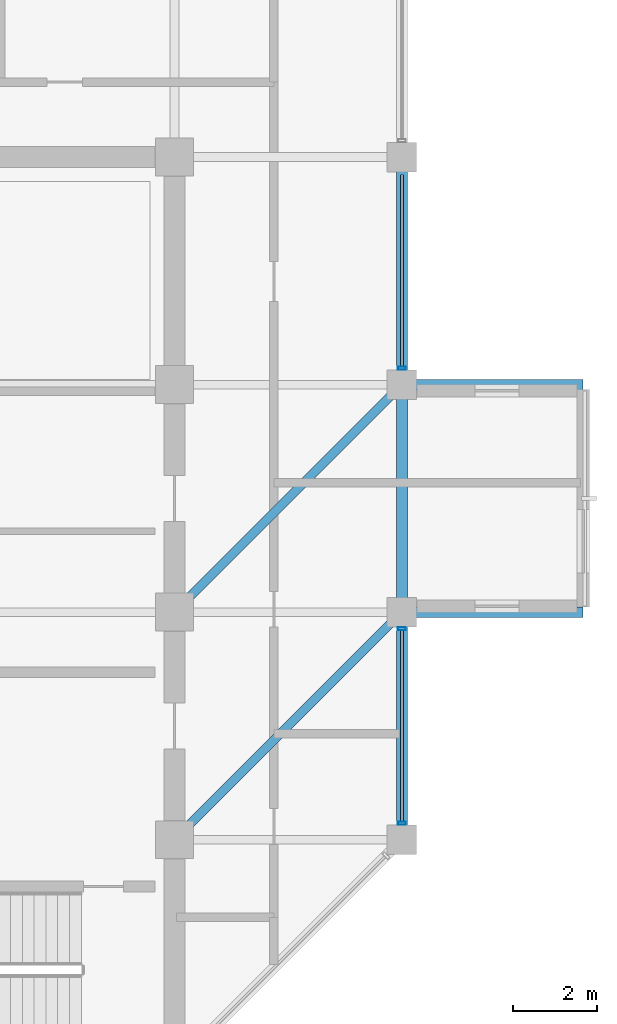
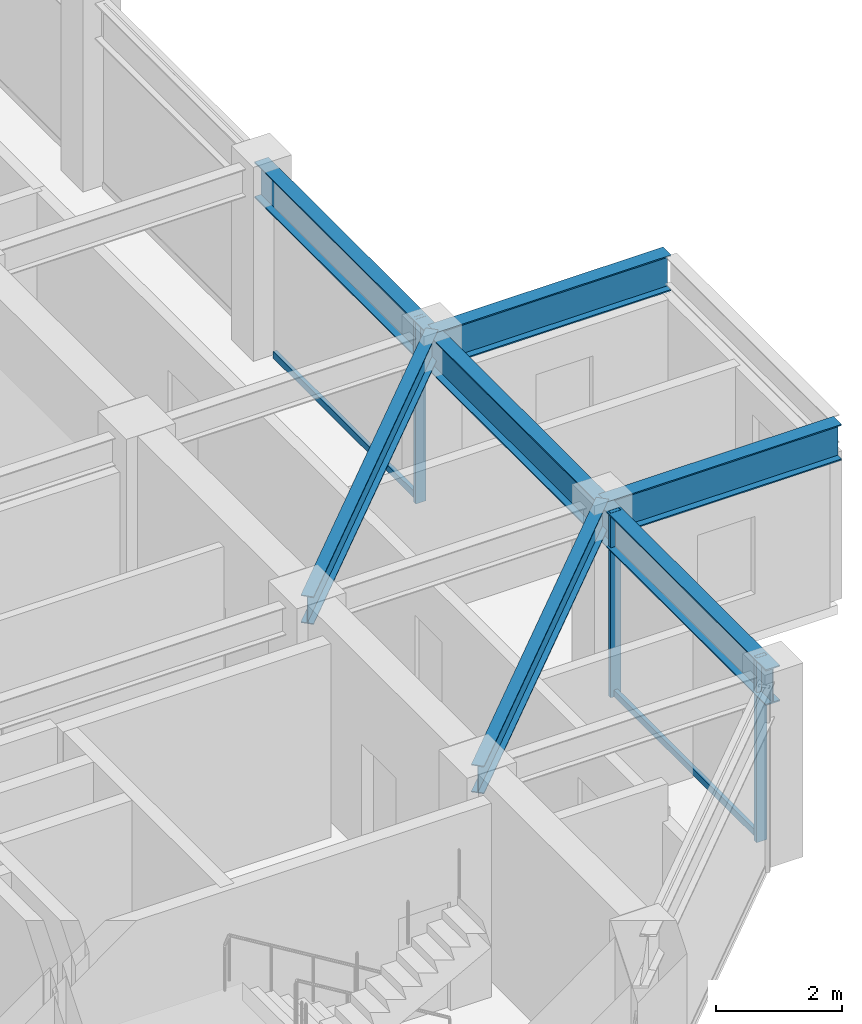
# One storey, part 11 of 30: 7 beams, 5 members, 2 elements without a shape of their own.
"""IFC4 building model written with IfcOpenShell, lengths in metres."""

import ifcopenshell
import ifcopenshell.guid

model = None  # the IFC model being written
_history = None  # IfcOwnerHistory: only IFC2X3 demands one
_inside = {}  # id of a spatial element -> (the spatial element, [elements in it])
_under = {}  # id of a project, library or spatial element -> (it, [spatial elements below it])
_declared = {}  # id of a project -> (the project, [libraries it declares])
_typed = {}  # id of a type object -> (the type object, [elements of that type])
_made_of = {}  # id of a material, layer set ... -> (it, [elements and type objects made of it])


def new_model(schema):
    """Start an empty IFC model of exactly this schema.

    Asked for "IFC4X3", IfcOpenShell would pick the latest addendum, in which some entities
    have other attributes; the version numbers below select the first issue.
    IFC2X3 requires an IfcOwnerHistory on every rooted entity: one is made here for all.
    """
    global model, _history
    if schema == "IFC4X3":
        model = ifcopenshell.file(schema_version=(4, 3, 0, 0))
    else:
        model = ifcopenshell.file(schema=schema)
    _inside.clear()
    _under.clear()
    _declared.clear()
    _typed.clear()
    _made_of.clear()
    _history = None
    if model.schema == "IFC2X3":
        org = make("IfcOrganization", Name="unknown")
        user = make(
            "IfcPersonAndOrganization",
            ThePerson=make("IfcPerson", FamilyName="unknown"),
            TheOrganization=org,
        )
        app = make(
            "IfcApplication",
            ApplicationDeveloper=org,
            Version="unknown",
            ApplicationFullName="unknown",
            ApplicationIdentifier="unknown",
        )
        _history = make(
            "IfcOwnerHistory",
            OwningUser=user,
            OwningApplication=app,
            ChangeAction="ADDED",
            CreationDate=0,
        )
    return model


def make(cls, **values):
    """One entity of the class cls with the attributes given. An attribute that is None is left unset."""
    return model.create_entity(
        cls, **{name: value for name, value in values.items() if value is not None}
    )


def rooted(cls, **values):
    """An entity with a GlobalId (a new one), such as an element, a storey or a relation."""
    return make(cls, GlobalId=ifcopenshell.guid.new(), OwnerHistory=_history, **values)


def si_unit(unit_type, name, prefix=None):
    """IfcSIUnit, for example si_unit("LENGTHUNIT", "METRE", prefix="MILLI")."""
    return make("IfcSIUnit", UnitType=unit_type, Prefix=prefix, Name=name)


def assignment(units):
    """IfcUnitAssignment: the units of a project."""
    return None if units is None else make("IfcUnitAssignment", Units=units)


def point(xyz):
    """IfcCartesianPoint."""
    return None if xyz is None else make("IfcCartesianPoint", Coordinates=xyz)


def direction(xyz):
    """IfcDirection."""
    return None if xyz is None else make("IfcDirection", DirectionRatios=xyz)


def frame(location, z_axis=None, x_axis=None):
    """IfcAxis2Placement3D, a coordinate frame: its origin and axes. An axis left out is left unset."""
    return make(
        "IfcAxis2Placement3D",
        Location=point(location),
        Axis=direction(z_axis),
        RefDirection=direction(x_axis),
    )


def frame_2d(location, x_axis=None):
    """IfcAxis2Placement2D, a coordinate frame in the plane: its origin and x axis."""
    return make(
        "IfcAxis2Placement2D", Location=point(location), RefDirection=direction(x_axis)
    )


def origin():
    """The frame at (0, 0, 0) with its axes left unset."""
    return frame((0.0, 0.0, 0.0))


def origin_2d():
    """The frame at (0, 0) in the plane with its x axis left unset."""
    return frame_2d((0.0, 0.0))


def place(relative_to, where):
    """IfcLocalPlacement: puts the frame where relative to a parent placement (None: the world)."""
    return make(
        "IfcLocalPlacement", PlacementRelTo=relative_to, RelativePlacement=where
    )


def context(
    kind, dimensions, precision=None, world=None, true_north=None, identifier=None
):
    """IfcGeometricRepresentationContext, for example the 3D "Model" context."""
    return make(
        "IfcGeometricRepresentationContext",
        ContextIdentifier=identifier,
        ContextType=kind,
        CoordinateSpaceDimension=dimensions,
        Precision=precision,
        WorldCoordinateSystem=world,
        TrueNorth=true_north,
    )


def subcontext(parent, identifier, kind, view, scale=None):
    """IfcGeometricRepresentationSubContext, for example "Body" below "Model"."""
    return make(
        "IfcGeometricRepresentationSubContext",
        ContextIdentifier=identifier,
        ContextType=kind,
        ParentContext=parent,
        TargetScale=scale,
        TargetView=view,
    )


def project(units=None, contexts=None):
    """IfcProject with its units and contexts."""
    return rooted(
        "IfcProject",
        Name="project",
        RepresentationContexts=contexts,
        UnitsInContext=assignment(units),
    )


def spatial(cls, under=None, at=None, **own):
    """A site, building, storey or space (cls), placed at a placement, below another one or the project."""
    s = rooted(cls, ObjectPlacement=at, **own)
    if under is not None:
        _under.setdefault(under.id(), (under, []))[1].append(s)
    return s


def profile(cls, at=None, kind="AREA", **sizes):
    """A parametric profile (cls). Its sizes go by their IFC names, for example OverallWidth=200.0."""
    return make(cls, ProfileType=kind, Position=at, **sizes)


def hollow_rectangle(**sizes):
    """IfcRectangleHollowProfileDef."""
    return profile("IfcRectangleHollowProfileDef", **sizes)


def i_section(**sizes):
    """IfcIShapeProfileDef."""
    return profile("IfcIShapeProfileDef", **sizes)


def extrude(swept, where, along, depth):
    """IfcExtrudedAreaSolid: the profile swept, set in the frame where, extruded along a direction by depth."""
    return make(
        "IfcExtrudedAreaSolid",
        SweptArea=swept,
        Position=where,
        ExtrudedDirection=direction(along),
        Depth=depth,
    )


def shape(context_of_items, identifier, shape_type, items):
    """IfcShapeRepresentation: the items that make up one representation, for example the "Body"."""
    return make(
        "IfcShapeRepresentation",
        ContextOfItems=context_of_items,
        RepresentationIdentifier=identifier,
        RepresentationType=shape_type,
        Items=items,
    )


def material(Name=None, Category=None):
    """IfcMaterial."""
    return make("IfcMaterial", Name=Name, Category=Category)


def layer(
    of_material, thickness, ventilated=None, Name=None, Category=None, Priority=None
):
    """IfcMaterialLayer: one layer of a wall or slab, of a material (None: an air gap)."""
    return make(
        "IfcMaterialLayer",
        Material=of_material,
        LayerThickness=thickness,
        IsVentilated=ventilated,
        Name=Name,
        Category=Category,
        Priority=Priority,
    )


def layer_set(layers, Name=None):
    """IfcMaterialLayerSet."""
    return make("IfcMaterialLayerSet", MaterialLayers=layers, LayerSetName=Name)


def material_profile(
    of_material, cross_section, Name=None, Category=None, Priority=None
):
    """IfcMaterialProfile: a cross section and its material."""
    return make(
        "IfcMaterialProfile",
        Name=Name,
        Material=of_material,
        Profile=cross_section,
        Priority=Priority,
        Category=Category,
    )


def profile_set(profiles, Name=None, composite=None):
    """IfcMaterialProfileSet."""
    return make(
        "IfcMaterialProfileSet",
        Name=Name,
        MaterialProfiles=profiles,
        CompositeProfile=composite,
    )


def made_of(thing, what):
    """Note that an element or type object is made of a material, layer set ...; save() writes the relation."""
    if what is not None:
        _made_of.setdefault(what.id(), (what, []))[1].append(thing)
    return thing


def type_object(cls, material=None, **own):
    """A type object (cls), such as IfcWallType, which elements share."""
    return made_of(rooted(cls, **own), material)


def element(
    cls,
    number,
    at=None,
    inside=None,
    cuts=None,
    type_object=None,
    material=None,
    context=None,
    identifier="Body",
    shape_type=None,
    held_by="IfcProductDefinitionShape",
    body=None,
    shapes=None,
    **own,
):
    """One element of the class cls, such as IfcWall. Its Tag is "e" and its number.

    at: its placement. inside: the storey or other place that contains it. cuts: it is an
    opening in that element (IfcRelVoidsElement). A single representation is given by context,
    identifier, shape_type and body (its items); several are given by shapes. held_by: the class
    of the entity that holds the representations. save() writes the other relations.
    """
    e = rooted(cls, Tag="e%d" % number, ObjectPlacement=at, **own)
    if body is not None:
        shapes = [shape(context, identifier, shape_type, body)]
    if shapes is not None:
        e.Representation = make(held_by, Representations=shapes)
    if inside is not None:
        _inside.setdefault(inside.id(), (inside, []))[1].append(e)
    if cuts is not None:
        rooted(
            "IfcRelVoidsElement", RelatingBuildingElement=cuts, RelatedOpeningElement=e
        )
    if type_object is not None:
        _typed.setdefault(type_object.id(), (type_object, []))[1].append(e)
    return made_of(e, material)


def aggregate(whole, parts):
    """IfcRelAggregates: a whole, such as a stair, and the parts it consists of."""
    return rooted("IfcRelAggregates", RelatingObject=whole, RelatedObjects=parts)


def save(model, path):
    """Write the relations noted so far, then the file.

    IfcRelAggregates (storeys below a building ...), IfcRelContainedInSpatialStructure (elements
    in a storey), IfcRelDefinesByType, IfcRelAssociatesMaterial and IfcRelDeclares: one each for
    every whole, place, type object, material and project.
    """
    for whole, parts in _under.values():
        aggregate(whole, parts)
    for where, things in _inside.values():
        rooted(
            "IfcRelContainedInSpatialStructure",
            RelatedElements=things,
            RelatingStructure=where,
        )
    for kind, things in _typed.values():
        rooted("IfcRelDefinesByType", RelatedObjects=things, RelatingType=kind)
    for what, things in _made_of.values():
        rooted("IfcRelAssociatesMaterial", RelatedObjects=things, RelatingMaterial=what)
    for by, libraries in _declared.values():
        rooted("IfcRelDeclares", RelatingContext=by, RelatedDefinitions=libraries)
    model.write(path)


model = new_model("IFC4")

# Units and contexts
model_context = context("Model", 3, precision=1e-05, world=origin(), true_north=direction((0.0, 1.0)))
body_context = subcontext(model_context, "Body", "Model", "MODEL_VIEW")
ifc_project = project(units=[si_unit("LENGTHUNIT", "METRE"), si_unit("AREAUNIT", "SQUARE_METRE"), si_unit("VOLUMEUNIT", "CUBIC_METRE"), si_unit("PLANEANGLEUNIT", "RADIAN"), si_unit("MASSUNIT", "GRAM", prefix="KILO")], contexts=[model_context])

# Site, building, storey
site_placement = place(None, origin())
site = spatial("IfcSite", under=ifc_project, at=site_placement, CompositionType="ELEMENT")
building_placement = place(site_placement, origin())
building = spatial("IfcBuilding", under=site, at=building_placement, Name="Surkhivell Harbour Commons", CompositionType="ELEMENT")
storey_placement = place(building_placement, frame((0.0, 0.0, 303.75)))
storey = spatial("IfcBuildingStorey", under=building, at=storey_placement, Name="L79", CompositionType="ELEMENT", Elevation=303.75)

# Beams
ifc_material_1 = material(Name="Steel S460", Category="steel")
ifc_material_profile_1 = material_profile(ifc_material_1, i_section(OverallWidth=0.256103515625, OverallDepth=0.693115234375, WebThickness=0.014404296875, FlangeThickness=0.023681640625, at=origin_2d()), Name="UB686x254x170")
ifc_profile_set_1 = profile_set([ifc_material_profile_1], Name="Steel S460")
beam_type_1 = type_object("IfcBeamType", Name="BM-CNT-686", PredefinedType="BEAM", material=ifc_profile_set_1)
for number, where, z_axis, x_axis, name in (
    (1, (16.199951171875, 0.0, 3.223388671875), (1.0, 0.0, 0.0), (0.0, 1.0, 0.0), "L79 Box Cantilever Outrigger (16.2,0.0)"),
    (2, (16.199951171875, 5.39990234375, 3.223388671875), (1.0, 0.0, 0.0), (0.0, 1.0, 0.0), "L79 Box Cantilever Outrigger (16.2,5.4)"),
):
    element("IfcBeam", number, at=place(storey_placement, frame(where, z_axis=z_axis, x_axis=x_axis)), inside=storey, type_object=beam_type_1, Name=name, PredefinedType="BEAM", context=body_context, shape_type="SweptSolid", body=[
        extrude(i_section(OverallWidth=0.256103515625, OverallDepth=0.693115234375, WebThickness=0.014404296875, FlangeThickness=0.023681640625, at=origin_2d()), origin(), (0.0, 0.0, 1.0), 4.300048828125),
    ])
ifc_material_2 = material(Name="Steel S355", Category="steel")
ifc_material_profile_2 = material_profile(ifc_material_2, i_section(OverallWidth=0.2099609375, OverallDepth=0.537109375, WebThickness=0.0107421875, FlangeThickness=0.017333984375, at=origin_2d()), Name="UB533x210x101")
ifc_profile_set_2 = profile_set([ifc_material_profile_2], Name="Steel S355")
beam_type_2 = type_object("IfcBeamType", Name="BM-GRD-533B", PredefinedType="BEAM", material=ifc_profile_set_2)
for number, where, z_axis, x_axis, name in (
    (3, (10.800048828125, -5.39990234375, 3.301513671875), (0.707106781187, 0.707106781187, 0.0), (-0.707106781187, 0.707106781187, 0.0), "L79 Floor Girder (10.8,-5.4)"),
    (4, (10.800048828125, 0.0, 3.301513671875), (0.707106781187, 0.707106781187, 0.0), (-0.707106781187, 0.707106781187, 0.0), "L79 Floor Girder (10.8,0.0)"),
):
    element("IfcBeam", number, at=place(storey_placement, frame(where, z_axis=z_axis, x_axis=x_axis)), inside=storey, type_object=beam_type_2, Name=name, PredefinedType="BEAM", context=body_context, shape_type="SweptSolid", body=[
        extrude(i_section(OverallWidth=0.2099609375, OverallDepth=0.537109375, WebThickness=0.0107421875, FlangeThickness=0.017333984375, at=origin_2d()), origin(), (0.0, 0.0, 1.0), 7.63671875),
    ])
ifc_material_profile_3 = material_profile(ifc_material_2, i_section(OverallWidth=0.256103515625, OverallDepth=0.693115234375, WebThickness=0.014404296875, FlangeThickness=0.023681640625, at=origin_2d()), Name="UB686x254x170")
ifc_profile_set_3 = profile_set([ifc_material_profile_3], Name="Steel S355")
beam_type_3 = type_object("IfcBeamType", Name="BM-SPN-686", PredefinedType="SPANDREL", material=ifc_profile_set_3)
for number, where, z_axis, x_axis, name in (
    (5, (16.199951171875, -5.39990234375, 3.223388671875), (0.0, 1.0, 0.0), (-1.0, 0.0, 0.0), "L79 Tube Spandrel (16.2,-5.4)"),
    (6, (16.199951171875, 0.0, 3.223388671875), (0.0, 1.0, 0.0), (-1.0, 0.0, 0.0), "L79 Tube Spandrel (16.2,0.0)"),
):
    element("IfcBeam", number, at=place(storey_placement, frame(where, z_axis=z_axis, x_axis=x_axis)), inside=storey, type_object=beam_type_3, Name=name, PredefinedType="SPANDREL", context=body_context, shape_type="SweptSolid", body=[
        extrude(i_section(OverallWidth=0.256103515625, OverallDepth=0.693115234375, WebThickness=0.014404296875, FlangeThickness=0.023681640625, at=origin_2d()), origin(), (0.0, 0.0, 1.0), 5.39990234375),
    ])
beam_placement = place(storey_placement, frame((16.199951171875, 5.39990234375, 3.223388671875), z_axis=(0.0, 1.0, 0.0), x_axis=(-1.0, 0.0, 0.0)))
element("IfcBeam", 7, at=beam_placement, inside=storey, type_object=beam_type_3, Name="L79 Tube Spandrel (16.2,5.4)", PredefinedType="SPANDREL", context=body_context, shape_type="SweptSolid", body=[
    extrude(i_section(OverallWidth=0.256103515625, OverallDepth=0.693115234375, WebThickness=0.014404296875, FlangeThickness=0.023681640625, at=origin_2d()), origin(), (0.0, 0.0, 1.0), 5.400146484375),
])

# Curtain wall, members
ifc_material_3 = material(Name="Anodised pale-metal aluminium and insulated glazing", Category="aluminium")
ifc_layer = layer(ifc_material_3, 0.175048828125)
ifc_layer_set = layer_set([ifc_layer], Name="Anodised pale-metal aluminium and insulated glazing")
curtain_wall_type = type_object("IfcCurtainWallType", Name="CW-SYS-Z4", PredefinedType="NOTDEFINED", material=ifc_layer_set)
curtain_wall_1_placement = place(storey_placement, origin())
curtain_wall_1 = element("IfcCurtainWall", 8, at=curtain_wall_1_placement, inside=storey, type_object=curtain_wall_type, Name="L79 Curtain Wall CW-L79-E02R1", PredefinedType="NOTDEFINED")
ifc_material_4 = material(Name="Anodised pale-metal aluminium alloy 6063-T6", Category="aluminium")
ifc_material_profile_4 = material_profile(ifc_material_4, hollow_rectangle(XDim=0.074951171875, YDim=0.18994140625, WallThickness=0.00390625, at=origin_2d()), Name="ALU-MULL-75x190")
ifc_profile_set_4 = profile_set([ifc_material_profile_4], Name="Anodised pale-metal aluminium alloy 6063-T6")
member_type_1 = type_object("IfcMemberType", Name="CWM-190", PredefinedType="MULLION", material=ifc_profile_set_4)
member_1_placement = place(storey_placement, frame((16.199951171875, -5.010498046875, 0.0), z_axis=(0.0, 0.0, 1.0), x_axis=(0.0, 1.0, 0.0)))
member_1 = element("IfcMember", 9, at=member_1_placement, type_object=member_type_1, Name="CW-Z4 mullion 1", PredefinedType="MULLION", context=body_context, shape_type="SweptSolid", body=[
    extrude(hollow_rectangle(XDim=0.074951171875, YDim=0.18994140625, WallThickness=0.00390625, at=origin_2d()), origin(), (0.0, 0.0, 1.0), 3.570068359375),
])
member_2_placement = place(storey_placement, frame((16.199951171875, -0.389404296875, 0.0), z_axis=(0.0, 0.0, 1.0), x_axis=(0.0, 1.0, 0.0)))
member_2 = element("IfcMember", 10, at=member_2_placement, type_object=member_type_1, Name="CW-Z4 mullion 2", PredefinedType="MULLION", context=body_context, shape_type="SweptSolid", body=[
    extrude(hollow_rectangle(XDim=0.074951171875, YDim=0.18994140625, WallThickness=0.00390625, at=origin_2d()), origin(), (0.0, 0.0, 1.0), 3.570068359375),
])

# Curtain wall, member
curtain_wall_2_placement = place(storey_placement, origin())
curtain_wall_2 = element("IfcCurtainWall", 11, at=curtain_wall_2_placement, inside=storey, type_object=curtain_wall_type, Name="L79 Curtain Wall CW-L79-E02R2", PredefinedType="NOTDEFINED")
member_3_placement = place(storey_placement, frame((16.199951171875, 5.78955078125, 0.0), z_axis=(0.0, 0.0, 1.0), x_axis=(0.0, 1.0, 0.0)))
member_3 = element("IfcMember", 12, at=member_3_placement, type_object=member_type_1, Name="CW-Z4 mullion 1", PredefinedType="MULLION", context=body_context, shape_type="SweptSolid", body=[
    extrude(hollow_rectangle(XDim=0.074951171875, YDim=0.18994140625, WallThickness=0.00390625, at=origin_2d()), origin(), (0.0, 0.0, 1.0), 3.570068359375),
])

# Member
ifc_material_5 = material(Name="Champagne anodised aluminium alloy 6063-T6", Category="aluminium")
ifc_material_profile_5 = material_profile(ifc_material_5, hollow_rectangle(XDim=0.070068359375, YDim=0.1298828125, WallThickness=0.00341796875, at=origin_2d()), Name="ALU-TRAN-70x130")
ifc_profile_set_5 = profile_set([ifc_material_profile_5], Name="Champagne anodised aluminium alloy 6063-T6")
member_type_2 = type_object("IfcMemberType", Name="CWT-130", PredefinedType="USERDEFINED", material=ifc_profile_set_5)
member_4_placement = place(storey_placement, frame((16.199951171875, -4.972900390625, 0.06494140625), z_axis=(0.0, 1.0, 0.0), x_axis=(-1.0, 0.0, 0.0)))
member_4 = element("IfcMember", 13, at=member_4_placement, type_object=member_type_2, Name="CW-Z4 transom 1.1", ObjectType="TRANSOM", PredefinedType="USERDEFINED", context=body_context, shape_type="SweptSolid", body=[
    extrude(hollow_rectangle(XDim=0.070068359375, YDim=0.1298828125, WallThickness=0.00341796875, at=origin_2d()), origin(), (0.0, 0.0, 1.0), 4.5458984375),
])

aggregate(curtain_wall_1, [member_1, member_2, member_4])

member_5_placement = place(storey_placement, frame((16.199951171875, 5.826904296875, 0.06494140625), z_axis=(0.0, 1.0, 0.0), x_axis=(-1.0, 0.0, 0.0)))
member_5 = element("IfcMember", 14, at=member_5_placement, type_object=member_type_2, Name="CW-Z4 transom 1.1", ObjectType="TRANSOM", PredefinedType="USERDEFINED", context=body_context, shape_type="SweptSolid", body=[
    extrude(hollow_rectangle(XDim=0.070068359375, YDim=0.1298828125, WallThickness=0.00341796875, at=origin_2d()), origin(), (0.0, 0.0, 1.0), 4.546142578125),
])

aggregate(curtain_wall_2, [member_3, member_5])

save(model, "model.ifc")
